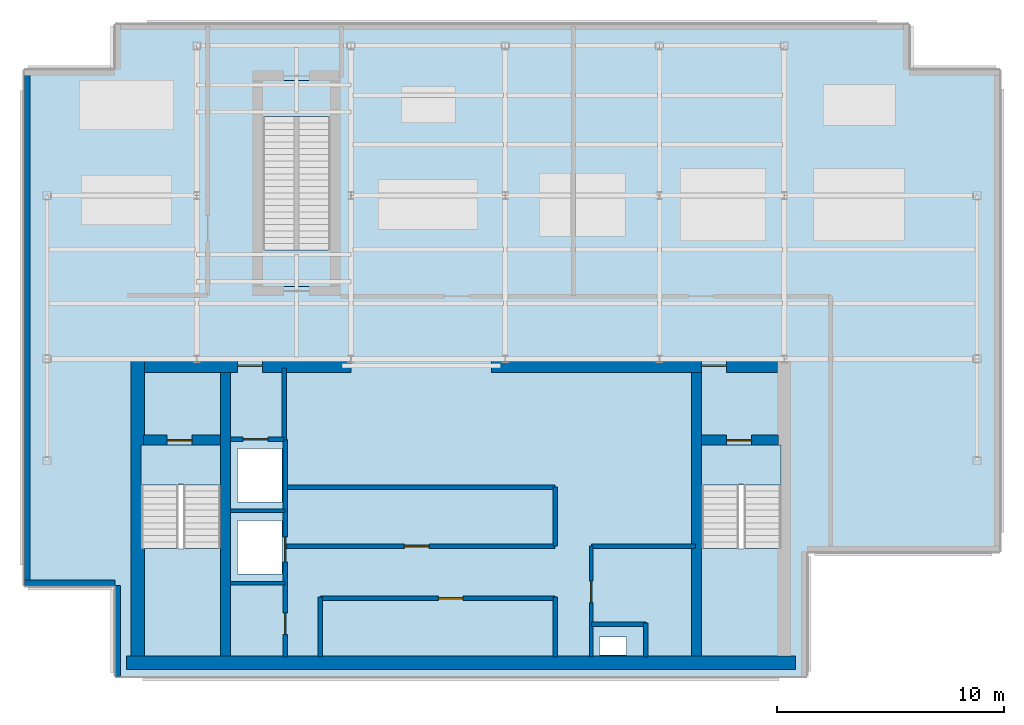
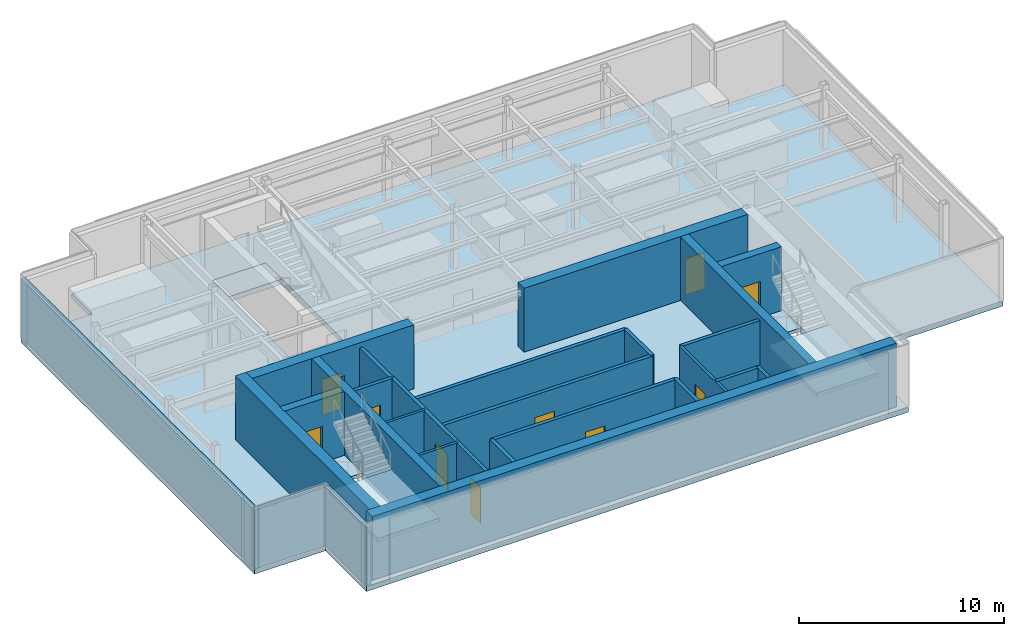
# One storey, part 2 of 7: 26 walls, 10 doors, 7 slabs, 10 openings, 2 elements without a shape of their own.
"""IFC4 building model written with IfcOpenShell, lengths in metres."""

from ifc_helpers import new_model, si_unit, derived_unit, direction, frame, frame_2d, origin, place, context, subcontext, project, spatial, polyline, rectangle, outline, extrude, source, transform, mapped, material, layer, layer_set, type_object, element, fill, aggregate, save


model = new_model("IFC4")

# Units and contexts
model_context = context("Model", 3, precision=1e-05, world=origin(), true_north=direction((0.0, 1.0)))
body_context = subcontext(model_context, "Body", "Model", "MODEL_VIEW")
ifc_project = project(units=[si_unit("LENGTHUNIT", "METRE"), si_unit("AREAUNIT", "SQUARE_METRE"), si_unit("VOLUMEUNIT", "CUBIC_METRE"), si_unit("PLANEANGLEUNIT", "RADIAN"), si_unit("MASSUNIT", "GRAM", prefix="KILO"), derived_unit("THERMALTRANSMITTANCEUNIT", [(si_unit("POWERUNIT", "WATT"), 1), (si_unit("LENGTHUNIT", "METRE"), -2), (si_unit("THERMODYNAMICTEMPERATUREUNIT", "KELVIN"), -1)])], contexts=[model_context])

# Site, building, storey
site_placement = place(None, origin())
site = spatial("IfcSite", under=ifc_project, at=site_placement, CompositionType="ELEMENT")
building_placement = place(site_placement, origin())
building = spatial("IfcBuilding", under=site, at=building_placement, Name="Skarnbrae Concourse Arena and Tower", CompositionType="ELEMENT")
storey_placement = place(building_placement, frame((0.0, 0.0, 299.85009765625)))
storey = spatial("IfcBuildingStorey", under=building, at=storey_placement, Name="L78", CompositionType="ELEMENT", Elevation=299.85009765625)

# Stair, slab
ifc_material_1 = material(Name="Concrete 40 MPa (C40/50)", Category="concrete")
stair_type = type_object("IfcStairType", Name="STAIR-DOGLEG-1650", PredefinedType="HALF_TURN_STAIR", material=ifc_material_1)
stair_1_placement = place(storey_placement, origin())
stair_1 = element("IfcStair", 1, at=stair_1_placement, inside=storey, type_object=stair_type, Name="L78 Protected Exit Stair ST-1", PredefinedType="HALF_TURN_STAIR")
ifc_layer_1 = layer(ifc_material_1, 0.199951171875)
ifc_layer_set_1 = layer_set([ifc_layer_1], Name="Concrete 40 MPa (C40/50)")
slab_type_1 = type_object("IfcSlabType", Name="SLAB-LANDING-200", PredefinedType="LANDING", material=ifc_layer_set_1)
slab_1_placement = place(storey_placement, frame((0.0, 0.0, 1.699951171875)))
slab_1 = element("IfcSlab", 2, at=slab_1_placement, type_object=slab_type_1, Name="ST-1 landing 1", PredefinedType="LANDING", context=body_context, shape_type="SweptSolid", body=[
    extrude(outline(polyline([(5.14990234375, 5.64990234375), (5.14990234375, 0.89990234375), (8.64990234375, 0.89990234375), (8.64990234375, 5.64990234375), (5.14990234375, 5.64990234375)])), origin(), (0.0, 0.0, 1.0), 0.199951171875),
])
aggregate(stair_1, [slab_1])

stair_2_placement = place(storey_placement, origin())
stair_2 = element("IfcStair", 3, at=stair_2_placement, inside=storey, type_object=stair_type, Name="L78 Protected Exit Stair ST-2", PredefinedType="HALF_TURN_STAIR")
slab_2_placement = place(storey_placement, frame((0.0, 0.0, 1.699951171875)))
slab_2 = element("IfcSlab", 4, at=slab_2_placement, type_object=slab_type_1, Name="ST-2 landing 1", PredefinedType="LANDING", context=body_context, shape_type="SweptSolid", body=[
    extrude(outline(polyline([(29.85009765625, 5.64990234375), (29.85009765625, 0.89990234375), (33.35009765625, 0.89990234375), (33.35009765625, 5.64990234375), (29.85009765625, 5.64990234375)])), origin(), (0.0, 0.0, 1.0), 0.199951171875),
])
aggregate(stair_2, [slab_2])

# Slabs
slab_3_placement = place(storey_placement, frame((0.0, 0.0, -0.2001953125)))
element("IfcSlab", 5, at=slab_3_placement, inside=storey, type_object=slab_type_1, Name="L78 Core stair ST1 floor landing", PredefinedType="LANDING", context=body_context, shape_type="SweptSolid", body=[
    extrude(outline(polyline([(5.14990234375, 10.199951171875), (5.14990234375, 8.449951171875), (8.64990234375, 8.449951171875), (8.64990234375, 10.199951171875), (5.14990234375, 10.199951171875)])), origin(), (0.0, 0.0, 1.0), 0.2001953125),
])
slab_4_placement = place(storey_placement, frame((0.0, 0.0, -0.2001953125)))
element("IfcSlab", 6, at=slab_4_placement, inside=storey, type_object=slab_type_1, Name="L78 Core stair ST2 floor landing", PredefinedType="LANDING", context=body_context, shape_type="SweptSolid", body=[
    extrude(outline(polyline([(29.85009765625, 10.199951171875), (29.85009765625, 8.449951171875), (33.35009765625, 8.449951171875), (33.35009765625, 10.199951171875), (29.85009765625, 10.199951171875)])), origin(), (0.0, 0.0, 1.0), 0.2001953125),
])
slab_5_placement = place(storey_placement, frame((0.0, 0.0, -0.300048828125)))
element("IfcSlab", 7, at=slab_5_placement, inside=storey, type_object=slab_type_1, Name="L78 Stair ST-CRWN near floor landing", PredefinedType="LANDING", context=body_context, shape_type="SweptSolid", body=[
    extrude(outline(polyline([(13.5, 17.199951171875), (13.5, 18.800048828125), (10.5, 18.800048828125), (10.5, 17.199951171875), (13.5, 17.199951171875)])), origin(), (0.0, 0.0, 1.0), 0.300048828125),
])
slab_6_placement = place(storey_placement, frame((0.0, 0.0, -0.300048828125)))
element("IfcSlab", 8, at=slab_6_placement, inside=storey, type_object=slab_type_1, Name="L78 Stair ST-CRWN far floor landing", PredefinedType="LANDING", context=body_context, shape_type="SweptSolid", body=[
    extrude(outline(polyline([(13.5, 24.679931640625), (13.5, 26.280029296875), (10.5, 26.280029296875), (10.5, 24.679931640625), (13.5, 24.679931640625)])), origin(), (0.0, 0.0, 1.0), 0.300048828125),
])
ifc_layer_2 = layer(ifc_material_1, 0.300048828125)
ifc_layer_set_2 = layer_set([ifc_layer_2], Name="Concrete 40 MPa (C40/50)")
slab_type_2 = type_object("IfcSlabType", Name="SLAB-PODIUM-300", PredefinedType="FLOOR", material=ifc_layer_set_2)
slab_7_placement = place(storey_placement, frame((0.0, 0.0, -0.300048828125)))
element("IfcSlab", 9, at=slab_7_placement, inside=storey, type_object=slab_type_2, Name="L78 Structural floor slab", PredefinedType="FLOOR", context=body_context, shape_type="SweptSolid", body=[
    extrude(outline(polyline([(4.0, 0.0), (34.5, 0.0), (34.5, 5.5), (43.0, 5.5), (43.0, 26.75), (39.0, 26.75), (39.0, 28.75), (4.0, 28.75), (4.0, 26.75), (0.0, 26.75), (0.0, 4.0), (4.0, 4.0), (4.0, 0.0)]), holes=[polyline([(26.550048828125, 0.949951171875), (25.35009765625, 0.949951171875), (25.35009765625, 1.75), (26.550048828125, 1.75), (26.550048828125, 0.949951171875)]), polyline([(5.14990234375, 10.199951171875), (8.64990234375, 10.199951171875), (8.64990234375, 0.89990234375), (5.14990234375, 0.89990234375), (5.14990234375, 10.199951171875)]), polyline([(29.85009765625, 10.199951171875), (33.35009765625, 10.199951171875), (33.35009765625, 0.89990234375), (29.85009765625, 0.89990234375), (29.85009765625, 10.199951171875)]), polyline([(11.35498046875, 4.52001953125), (9.39501953125, 4.52001953125), (9.39501953125, 6.8798828125), (11.35498046875, 6.8798828125), (11.35498046875, 4.52001953125)]), polyline([(9.39501953125, 7.695068359375), (9.39501953125, 10.054931640625), (11.35498046875, 10.054931640625), (11.35498046875, 7.695068359375), (9.39501953125, 7.695068359375)]), polyline([(13.5, 17.199951171875), (10.5, 17.199951171875), (10.5, 26.280029296875), (13.5, 26.280029296875), (13.5, 17.199951171875)])]), origin(), (0.0, 0.0, 1.0), 0.300048828125),
])

# Walls
ifc_material_2 = material(Name="Concrete 50 MPa (C50/60)", Category="concrete")
ifc_layer_3 = layer(ifc_material_2, 0.60009765625)
ifc_layer_set_3 = layer_set([ifc_layer_3], Name="Concrete 50 MPa (C50/60)")
wall_type_1 = type_object("IfcWallType", Name="WALL-CORE-600-C50", PredefinedType="SHEAR", material=ifc_layer_set_3)
shared_shape_1 = source(origin(), body_context, "Body", "SweptSolid", [
    extrude(rectangle(XDim=29.5, YDim=0.60009765625, at=frame_2d((14.75, 0.0))), origin(), (0.0, 0.0, 1.0), 3.7998046875),
])
wall_1_placement = place(storey_placement, frame((4.5, 0.60009765625, 0.0), z_axis=(0.0, 0.0, 1.0), x_axis=(1.0, 0.0, 0.0)))
element("IfcWall", 10, at=wall_1_placement, inside=storey, type_object=wall_type_1, Name="L78 Rear core shear wall CW-S", PredefinedType="SHEAR", context=body_context, shape_type="MappedRepresentation", body=[
    mapped(shared_shape_1, transform((0.0, 0.0, 0.0))),
])
shared_shape_2 = source(origin(), body_context, "Body", "SweptSolid", [
    extrude(rectangle(XDim=13.10009765625, YDim=0.60009765625, at=frame_2d((6.550048828125, 0.0))), origin(), (0.0, 0.0, 1.0), 3.7998046875),
])
wall_2_placement = place(storey_placement, frame((5.0, 0.89990234375, 0.0), z_axis=(0.0, 0.0, 1.0), x_axis=(0.0, 1.0, 0.0)))
element("IfcWall", 11, at=wall_2_placement, inside=storey, type_object=wall_type_1, Name="L78 Rear core shear wall CW-W", PredefinedType="SHEAR", context=body_context, shape_type="MappedRepresentation", body=[
    mapped(shared_shape_2, transform((0.0, 0.0, 0.0))),
])

# Wall, opening, door
shared_shape_3 = source(origin(), body_context, "Body", "SweptSolid", [
    extrude(rectangle(XDim=9.099853515625, YDim=0.60009765625, at=frame_2d((4.5498046875, 0.0))), origin(), (0.0, 0.0, 1.0), 3.7998046875),
])
wall_3_placement = place(storey_placement, frame((5.300048828125, 13.699951171875, 0.0), z_axis=(0.0, 0.0, 1.0), x_axis=(1.0, 0.0, 0.0)))
wall_3 = element("IfcWall", 12, at=wall_3_placement, inside=storey, type_object=wall_type_1, Name="L78 Rear core shear wall CW-NW", PredefinedType="SHEAR", context=body_context, shape_type="MappedRepresentation", body=[
    mapped(shared_shape_3, transform((0.0, 0.0, 0.0))),
])
opening_1_placement = place(wall_3_placement, frame((4.10009765625, 0.0, 0.0)))
opening_1 = element("IfcOpeningElement", 13, at=opening_1_placement, cuts=wall_3, Name="Opening DT-03", PredefinedType="OPENING", context=body_context, shape_type="SweptSolid", body=[
    extrude(rectangle(XDim=1.10009765625, YDim=2.14990234375, at=frame_2d((0.550048828125, 1.074951171875))), frame((0.0, 0.31005859375, 0.0), z_axis=(0.0, -1.0, 0.0), x_axis=(1.0, 0.0, 0.0)), (0.0, 0.0, 1.0), 0.6201171875),
])
ifc_material_3 = material(Name="Steel CSA G40.21 350W", Category="steel")
door_type_1 = type_object("IfcDoorType", Name="DOOR-FIRE-1100-90M", OperationType="NOTDEFINED", PredefinedType="DOOR", material=ifc_material_3)
shared_shape_4 = source(origin(), body_context, "Body", "SweptSolid", [
    extrude(rectangle(XDim=1.10009765625, YDim=2.14990234375, at=frame_2d((0.550048828125, 1.074951171875))), frame((0.0, 0.02490234375, 0.0), z_axis=(0.0, -1.0, 0.0), x_axis=(1.0, 0.0, 0.0)), (0.0, 0.0, 1.0), 0.050048828125),
])
door_1_placement = place(opening_1_placement, origin())
door_1 = element("IfcDoor", 14, at=door_1_placement, inside=storey, type_object=door_type_1, Name="D-2325 Firefighting Lobby Exit Door", OperationType="SINGLE_SWING_RIGHT", OverallHeight=2.14990234375, OverallWidth=1.10009765625, PredefinedType="DOOR", context=body_context, shape_type="MappedRepresentation", body=[
    mapped(shared_shape_4, transform((0.0, 0.0, 0.0))),
])
fill(opening_1, door_1)

shared_shape_5 = source(origin(), body_context, "Body", "SweptSolid", [
    extrude(rectangle(XDim=12.599853515625, YDim=0.60009765625, at=frame_2d((6.2998046875, 0.0))), origin(), (0.0, 0.0, 1.0), 3.7998046875),
])
wall_4_placement = place(storey_placement, frame((20.60009765625, 13.699951171875, 0.0), z_axis=(0.0, 0.0, 1.0), x_axis=(1.0, 0.0, 0.0)))
wall_4 = element("IfcWall", 15, at=wall_4_placement, inside=storey, type_object=wall_type_1, Name="L78 Rear core shear wall CW-NE", PredefinedType="SHEAR", context=body_context, shape_type="MappedRepresentation", body=[
    mapped(shared_shape_5, transform((0.0, 0.0, 0.0))),
])
opening_2_placement = place(wall_4_placement, frame((9.25, 0.0, 0.0)))
opening_2 = element("IfcOpeningElement", 16, at=opening_2_placement, cuts=wall_4, Name="Opening DT-03", PredefinedType="OPENING", context=body_context, shape_type="SweptSolid", body=[
    extrude(rectangle(XDim=1.10009765625, YDim=2.14990234375, at=frame_2d((0.550048828125, 1.074951171875))), frame((0.0, 0.31005859375, 0.0), z_axis=(0.0, -1.0, 0.0), x_axis=(1.0, 0.0, 0.0)), (0.0, 0.0, 1.0), 0.6201171875),
])
door_2_placement = place(opening_2_placement, origin())
door_2 = element("IfcDoor", 17, at=door_2_placement, inside=storey, type_object=door_type_1, Name="D-2326 Stair ST-2 Vestibule Door", OperationType="SINGLE_SWING_LEFT", OverallHeight=2.14990234375, OverallWidth=1.10009765625, PredefinedType="DOOR", context=body_context, shape_type="MappedRepresentation", body=[
    mapped(shared_shape_4, transform((0.0, 0.0, 0.0))),
])
fill(opening_2, door_2)

# Walls
ifc_layer_4 = layer(ifc_material_2, 0.449951171875)
ifc_layer_set_4 = layer_set([ifc_layer_4], Name="Concrete 50 MPa (C50/60)")
wall_type_2 = type_object("IfcWallType", Name="WALL-CORE-450-C50", PredefinedType="SHEAR", material=ifc_layer_set_4)
shared_shape_6 = source(origin(), body_context, "Body", "SweptSolid", [
    extrude(rectangle(XDim=12.5, YDim=0.449951171875, at=frame_2d((6.25, 0.0))), origin(), (0.0, 0.0, 1.0), 3.7998046875),
])
for number, where, z_axis, x_axis, name in (
    (18, (8.864990234375, 0.89990234375, 0.0), (0.0, 0.0, 1.0), (0.0, 1.0, 0.0), "L78 Rear core shear wall CW-WEB-W"),
    (19, (29.635009765625, 0.89990234375, 0.0), (0.0, 0.0, 1.0), (0.0, 1.0, 0.0), "L78 Rear core shear wall CW-WEB-E"),
):
    element("IfcWall", number, at=place(storey_placement, frame(where, z_axis=z_axis, x_axis=x_axis)), inside=storey, type_object=wall_type_2, Name=name, PredefinedType="SHEAR", context=body_context, shape_type="MappedRepresentation", body=[
        mapped(shared_shape_6, transform((0.0, 0.0, 0.0))),
    ])

# Wall, opening, door
shared_shape_7 = source(origin(), body_context, "Body", "SweptSolid", [
    extrude(rectangle(XDim=3.389892578125, YDim=0.449951171875, at=frame_2d((1.69482421875, 0.0))), origin(), (0.0, 0.0, 1.0), 3.7998046875),
])
wall_5_placement = place(storey_placement, frame((5.25, 10.419921875, 0.0), z_axis=(0.0, 0.0, 1.0), x_axis=(1.0, 0.0, 0.0)))
wall_5 = element("IfcWall", 20, at=wall_5_placement, inside=storey, type_object=wall_type_2, Name="L78 Rear core shear wall CW-ST1-N", PredefinedType="SHEAR", context=body_context, shape_type="MappedRepresentation", body=[
    mapped(shared_shape_7, transform((0.0, 0.0, 0.0))),
])
opening_3_placement = place(wall_5_placement, frame((1.050048828125, 0.0, 0.0)))
opening_3 = element("IfcOpeningElement", 21, at=opening_3_placement, cuts=wall_5, Name="Opening DT-03", PredefinedType="OPENING", context=body_context, shape_type="SweptSolid", body=[
    extrude(rectangle(XDim=1.10009765625, YDim=2.14990234375, at=frame_2d((0.550048828125, 1.074951171875))), frame((0.0, 0.23486328125, 0.0), z_axis=(0.0, -1.0, 0.0), x_axis=(1.0, 0.0, 0.0)), (0.0, 0.0, 1.0), 0.469970703125),
])
door_3_placement = place(opening_3_placement, frame((1.10009765625, 0.0, 0.0), z_axis=(0.0, 0.0, 1.0), x_axis=(-1.0, 0.0, 0.0)))
door_3 = element("IfcDoor", 22, at=door_3_placement, inside=storey, type_object=door_type_1, Name="D-2323 Stair ST-1 Door", OperationType="SINGLE_SWING_LEFT", OverallHeight=2.14990234375, OverallWidth=1.10009765625, PredefinedType="DOOR", context=body_context, shape_type="MappedRepresentation", body=[
    mapped(shared_shape_4, transform((0.0, 0.0, 0.0))),
])
fill(opening_3, door_3)

wall_6_placement = place(storey_placement, frame((29.860107421875, 10.419921875, 0.0), z_axis=(0.0, 0.0, 1.0), x_axis=(1.0, 0.0, 0.0)))
wall_6 = element("IfcWall", 23, at=wall_6_placement, inside=storey, type_object=wall_type_2, Name="L78 Rear core shear wall CW-ST2-N", PredefinedType="SHEAR", context=body_context, shape_type="MappedRepresentation", body=[
    mapped(shared_shape_7, transform((0.0, 0.0, 0.0))),
])
opening_4_placement = place(wall_6_placement, frame((1.10009765625, 0.0, 0.0)))
opening_4 = element("IfcOpeningElement", 24, at=opening_4_placement, cuts=wall_6, Name="Opening DT-03", PredefinedType="OPENING", context=body_context, shape_type="SweptSolid", body=[
    extrude(rectangle(XDim=1.10009765625, YDim=2.14990234375, at=frame_2d((0.550048828125, 1.074951171875))), frame((0.0, 0.23486328125, 0.0), z_axis=(0.0, -1.0, 0.0), x_axis=(1.0, 0.0, 0.0)), (0.0, 0.0, 1.0), 0.469970703125),
])
door_4_placement = place(opening_4_placement, frame((1.10009765625, 0.0, 0.0), z_axis=(0.0, 0.0, 1.0), x_axis=(-1.0, 0.0, 0.0)))
door_4 = element("IfcDoor", 25, at=door_4_placement, inside=storey, type_object=door_type_1, Name="D-2324 Stair ST-2 Door", OperationType="SINGLE_SWING_RIGHT", OverallHeight=2.14990234375, OverallWidth=1.10009765625, PredefinedType="DOOR", context=body_context, shape_type="MappedRepresentation", body=[
    mapped(shared_shape_4, transform((0.0, 0.0, 0.0))),
])
fill(opening_4, door_4)

# Walls
ifc_material_4 = material(Name="Precast concrete 40 MPa (C40/50)", Category="concrete")
ifc_layer_5 = layer(ifc_material_4, 0.25)
ifc_layer_set_5 = layer_set([ifc_layer_5], Name="Precast concrete 40 MPa (C40/50)")
wall_type_3 = type_object("IfcWallType", Name="WALL-CROWN-BRONZE-250", PredefinedType="STANDARD", material=ifc_layer_set_5)
shared_shape_8 = source(origin(), body_context, "Body", "SweptSolid", [
    extrude(rectangle(XDim=4.0, YDim=0.25, at=frame_2d((2.0, 0.0))), origin(), (0.0, 0.0, 1.0), 3.5),
])
for number, where, z_axis, x_axis, name in (
    (26, (0.0, 4.125, 0.0), (0.0, 0.0, 1.0), (1.0, 0.0, 0.0), "L78 Crown enclosure wall 11"),
    (27, (4.125, 4.0, 0.0), (0.0, 0.0, 1.0), (0.0, -1.0, 0.0), "L78 Crown enclosure wall 12"),
):
    element("IfcWall", number, at=place(storey_placement, frame(where, z_axis=z_axis, x_axis=x_axis)), inside=storey, type_object=wall_type_3, Name=name, PredefinedType="STANDARD", context=body_context, shape_type="MappedRepresentation", body=[
        mapped(shared_shape_8, transform((0.0, 0.0, 0.0))),
    ])
shared_shape_9 = source(origin(), body_context, "Body", "SweptSolid", [
    extrude(rectangle(XDim=22.75, YDim=0.25, at=frame_2d((11.375, 0.0))), origin(), (0.0, 0.0, 1.0), 3.5),
])
wall_7_placement = place(storey_placement, frame((0.125, 26.75, 0.0), z_axis=(0.0, 0.0, 1.0), x_axis=(0.0, -1.0, 0.0)))
element("IfcWall", 28, at=wall_7_placement, inside=storey, type_object=wall_type_3, Name="L78 Crown enclosure wall 10", PredefinedType="STANDARD", context=body_context, shape_type="MappedRepresentation", body=[
    mapped(shared_shape_9, transform((0.0, 0.0, 0.0))),
])
ifc_material_5 = material(Name="Gypsum board on cold-formed steel studs", Category="steel")
ifc_layer_6 = layer(ifc_material_5, 0.199951171875)
ifc_layer_set_6 = layer_set([ifc_layer_6], Name="Gypsum board on cold-formed steel studs")
wall_type_4 = type_object("IfcWallType", Name="WALL-PART-200-2HR", PredefinedType="PARTITIONING", material=ifc_layer_set_6)
shared_shape_10 = source(origin(), body_context, "Body", "SweptSolid", [
    extrude(rectangle(XDim=3.18017578125, YDim=0.199951171875, at=frame_2d((1.590087890625, 0.0))), origin(), (0.0, 0.0, 1.0), 3.5),
])
wall_8_placement = place(storey_placement, frame((11.449951171875, 10.419921875, 0.0), z_axis=(0.0, 0.0, 1.0), x_axis=(0.0, 1.0, 0.0)))
element("IfcWall", 29, at=wall_8_placement, inside=storey, type_object=wall_type_4, Name="L78 Interior partition wall W-L78-FFL-E", PredefinedType="PARTITIONING", context=body_context, shape_type="MappedRepresentation", body=[
    mapped(shared_shape_10, transform((0.0, 0.0, 0.0))),
])

# Wall, opening, door
shared_shape_11 = source(origin(), body_context, "Body", "SweptSolid", [
    extrude(rectangle(XDim=2.349853515625, YDim=0.199951171875, at=frame_2d((1.1748046875, 0.0))), origin(), (0.0, 0.0, 1.0), 3.5),
])
wall_9_placement = place(storey_placement, frame((9.10009765625, 10.449951171875, 0.0), z_axis=(0.0, 0.0, 1.0), x_axis=(1.0, 0.0, 0.0)))
wall_9 = element("IfcWall", 30, at=wall_9_placement, inside=storey, type_object=wall_type_4, Name="L78 Interior partition wall W-L78-FL1-N", PredefinedType="PARTITIONING", context=body_context, shape_type="MappedRepresentation", body=[
    mapped(shared_shape_11, transform((0.0, 0.0, 0.0))),
])
opening_5_placement = place(wall_9_placement, frame((0.550048828125, 0.0, 0.0)))
opening_5 = element("IfcOpeningElement", 31, at=opening_5_placement, cuts=wall_9, Name="Opening LD-01", PredefinedType="OPENING", context=body_context, shape_type="SweptSolid", body=[
    extrude(rectangle(XDim=1.10009765625, YDim=2.14990234375, at=frame_2d((0.550048828125, 1.074951171875))), frame((0.0, 0.10986328125, 0.0), z_axis=(0.0, -1.0, 0.0), x_axis=(1.0, 0.0, 0.0)), (0.0, 0.0, 1.0), 0.219970703125),
])
door_type_2 = type_object("IfcDoorType", Name="DOOR-LIFT-SLIDE-1100", OperationType="SLIDING_TO_LEFT", PredefinedType="DOOR", material=ifc_material_3)
door_5_placement = place(opening_5_placement, origin())
door_5 = element("IfcDoor", 32, at=door_5_placement, inside=storey, type_object=door_type_2, Name="D-2327 Firefighting Lift Landing Door FL-01", OperationType="SLIDING_TO_LEFT", OverallHeight=2.14990234375, OverallWidth=1.10009765625, PredefinedType="DOOR", context=body_context, shape_type="MappedRepresentation", body=[
    mapped(shared_shape_4, transform((0.0, 0.0, 0.0))),
])
fill(opening_5, door_5)

# Wall, openings, doors
shared_shape_12 = source(origin(), body_context, "Body", "SweptSolid", [
    extrude(rectangle(XDim=9.599853515625, YDim=0.199951171875, at=frame_2d((4.7998046875, 0.0))), origin(), (0.0, 0.0, 1.0), 3.5),
])
wall_10_placement = place(storey_placement, frame((11.5, 0.85009765625, 0.0), z_axis=(0.0, 0.0, 1.0), x_axis=(0.0, 1.0, 0.0)))
wall_10 = element("IfcWall", 33, at=wall_10_placement, inside=storey, type_object=wall_type_4, Name="L78 Interior partition wall W-L78-FL-E", PredefinedType="PARTITIONING", context=body_context, shape_type="MappedRepresentation", body=[
    mapped(shared_shape_12, transform((0.0, 0.0, 0.0))),
])
opening_6_placement = place(wall_10_placement, frame((4.199951171875, 0.0, 0.0)))
opening_6 = element("IfcOpeningElement", 34, at=opening_6_placement, cuts=wall_10, Name="Opening LD-01", PredefinedType="OPENING", context=body_context, shape_type="SweptSolid", body=[
    extrude(rectangle(XDim=1.10009765625, YDim=2.14990234375, at=frame_2d((0.550048828125, 1.074951171875))), frame((0.0, 0.10986328125, 0.0), z_axis=(0.0, -1.0, 0.0), x_axis=(1.0, 0.0, 0.0)), (0.0, 0.0, 1.0), 0.219970703125),
])
opening_7_placement = place(wall_10_placement, frame((1.0, 0.0, 0.0)))
opening_7 = element("IfcOpeningElement", 35, at=opening_7_placement, cuts=wall_10, Name="Opening DT-04", PredefinedType="OPENING", context=body_context, shape_type="SweptSolid", body=[
    extrude(rectangle(XDim=0.949951171875, YDim=2.14990234375, at=frame_2d((0.47509765625, 1.074951171875))), frame((0.0, 0.10986328125, 0.0), z_axis=(0.0, -1.0, 0.0), x_axis=(1.0, 0.0, 0.0)), (0.0, 0.0, 1.0), 0.219970703125),
])
door_6_placement = place(opening_6_placement, frame((1.10009765625, 0.0, 0.0), z_axis=(0.0, 0.0, 1.0), x_axis=(-1.0, 0.0, 0.0)))
door_6 = element("IfcDoor", 36, at=door_6_placement, inside=storey, type_object=door_type_2, Name="D-2328 Firefighting Lift Landing Door FL-02", OperationType="SLIDING_TO_LEFT", OverallHeight=2.14990234375, OverallWidth=1.10009765625, PredefinedType="DOOR", context=body_context, shape_type="MappedRepresentation", body=[
    mapped(shared_shape_4, transform((0.0, 0.0, 0.0))),
])
fill(opening_6, door_6)
door_type_3 = type_object("IfcDoorType", Name="DOOR-INT-950-45M", OperationType="NOTDEFINED", PredefinedType="DOOR", material=ifc_material_3)
shared_shape_13 = source(origin(), body_context, "Body", "SweptSolid", [
    extrude(rectangle(XDim=0.949951171875, YDim=2.14990234375, at=frame_2d((0.47509765625, 1.074951171875))), frame((0.0, 0.02490234375, 0.0), z_axis=(0.0, -1.0, 0.0), x_axis=(1.0, 0.0, 0.0)), (0.0, 0.0, 1.0), 0.050048828125),
])
door_7_placement = place(opening_7_placement, frame((0.949951171875, 0.0, 0.0), z_axis=(0.0, 0.0, 1.0), x_axis=(-1.0, 0.0, 0.0)))
door_7 = element("IfcDoor", 37, at=door_7_placement, inside=storey, type_object=door_type_3, Name="D-2329 Crown Exhaust Plant Door", OperationType="SINGLE_SWING_RIGHT", OverallHeight=2.14990234375, OverallWidth=0.949951171875, PredefinedType="DOOR", context=body_context, shape_type="MappedRepresentation", body=[
    mapped(shared_shape_13, transform((0.0, 0.0, 0.0))),
])
fill(opening_7, door_7)

# Walls
ifc_layer_7 = layer(ifc_material_5, 0.14990234375)
ifc_layer_set_7 = layer_set([ifc_layer_7], Name="Gypsum board on cold-formed steel studs")
wall_type_5 = type_object("IfcWallType", Name="WALL-PART-150", PredefinedType="PARTITIONING", material=ifc_layer_set_7)
shared_shape_14 = source(origin(), body_context, "Body", "SweptSolid", [
    extrude(rectangle(XDim=2.39990234375, YDim=0.14990234375, at=frame_2d((1.199951171875, 0.0))), origin(), (0.0, 0.0, 1.0), 3.5),
])
for number, where, z_axis, x_axis, name in (
    (38, (9.10009765625, 4.10009765625, 0.0), (0.0, 0.0, 1.0), (1.0, 0.0, 0.0), "L78 Interior partition wall W-L78-FL-D1"),
    (39, (9.10009765625, 7.300048828125, 0.0), (0.0, 0.0, 1.0), (1.0, 0.0, 0.0), "L78 Interior partition wall W-L78-FL-D2"),
):
    element("IfcWall", number, at=place(storey_placement, frame(where, z_axis=z_axis, x_axis=x_axis)), inside=storey, type_object=wall_type_5, Name=name, PredefinedType="PARTITIONING", context=body_context, shape_type="MappedRepresentation", body=[
        mapped(shared_shape_14, transform((0.0, 0.0, 0.0))),
    ])
shared_shape_15 = source(origin(), body_context, "Body", "SweptSolid", [
    extrude(rectangle(XDim=2.64990234375, YDim=0.199951171875, at=frame_2d((1.324951171875, 0.0))), origin(), (0.0, 0.0, 1.0), 3.5),
])
for number, where, z_axis, x_axis, name in (
    (40, (13.050048828125, 0.85009765625, 0.0), (0.0, 0.0, 1.0), (0.0, 1.0, 0.0), "L78 Interior partition wall W-L78-B1B-W"),
    (41, (23.39990234375, 0.85009765625, 0.0), (0.0, 0.0, 1.0), (0.0, 1.0, 0.0), "L78 Interior partition wall W-L78-B1B-E"),
):
    element("IfcWall", number, at=place(storey_placement, frame(where, z_axis=z_axis, x_axis=x_axis)), inside=storey, type_object=wall_type_4, Name=name, PredefinedType="PARTITIONING", context=body_context, shape_type="MappedRepresentation", body=[
        mapped(shared_shape_15, transform((0.0, 0.0, 0.0))),
    ])

# Wall, opening, door
shared_shape_16 = source(origin(), body_context, "Body", "SweptSolid", [
    extrude(rectangle(XDim=10.349853515625, YDim=0.199951171875, at=frame_2d((5.1748046875, 0.0))), origin(), (0.0, 0.0, 1.0), 3.5),
])
wall_11_placement = place(storey_placement, frame((13.050048828125, 3.449951171875, 0.0), z_axis=(0.0, 0.0, 1.0), x_axis=(1.0, 0.0, 0.0)))
wall_11 = element("IfcWall", 42, at=wall_11_placement, inside=storey, type_object=wall_type_4, Name="L78 Interior partition wall W-L78-B1B-N", PredefinedType="PARTITIONING", context=body_context, shape_type="MappedRepresentation", body=[
    mapped(shared_shape_16, transform((0.0, 0.0, 0.0))),
])
opening_8_placement = place(wall_11_placement, frame((5.199951171875, 0.0, 0.0)))
opening_8 = element("IfcOpeningElement", 43, at=opening_8_placement, cuts=wall_11, Name="Opening DT-03", PredefinedType="OPENING", context=body_context, shape_type="SweptSolid", body=[
    extrude(rectangle(XDim=1.10009765625, YDim=2.14990234375, at=frame_2d((0.550048828125, 1.074951171875))), frame((0.0, 0.10986328125, 0.0), z_axis=(0.0, -1.0, 0.0), x_axis=(1.0, 0.0, 0.0)), (0.0, 0.0, 1.0), 0.219970703125),
])
door_8_placement = place(opening_8_placement, origin())
door_8 = element("IfcDoor", 44, at=door_8_placement, inside=storey, type_object=door_type_1, Name="D-2330 Core Plant Door", OperationType="SINGLE_SWING_LEFT", OverallHeight=2.14990234375, OverallWidth=1.10009765625, PredefinedType="DOOR", context=body_context, shape_type="MappedRepresentation", body=[
    mapped(shared_shape_4, transform((0.0, 0.0, 0.0))),
])
fill(opening_8, door_8)

shared_shape_17 = source(origin(), body_context, "Body", "SweptSolid", [
    extrude(rectangle(XDim=11.849853515625, YDim=0.199951171875, at=frame_2d((5.9248046875, 0.0))), origin(), (0.0, 0.0, 1.0), 3.5),
])
wall_12_placement = place(storey_placement, frame((11.550048828125, 5.75, 0.0), z_axis=(0.0, 0.0, 1.0), x_axis=(1.0, 0.0, 0.0)))
wall_12 = element("IfcWall", 45, at=wall_12_placement, inside=storey, type_object=wall_type_4, Name="L78 Interior partition wall W-L78-B2B-S", PredefinedType="PARTITIONING", context=body_context, shape_type="MappedRepresentation", body=[
    mapped(shared_shape_17, transform((0.0, 0.0, 0.0))),
])
opening_9_placement = place(wall_12_placement, frame((5.199951171875, 0.0, 0.0)))
opening_9 = element("IfcOpeningElement", 46, at=opening_9_placement, cuts=wall_12, Name="Opening DT-03", PredefinedType="OPENING", context=body_context, shape_type="SweptSolid", body=[
    extrude(rectangle(XDim=1.10009765625, YDim=2.14990234375, at=frame_2d((0.550048828125, 1.074951171875))), frame((0.0, 0.10986328125, 0.0), z_axis=(0.0, -1.0, 0.0), x_axis=(1.0, 0.0, 0.0)), (0.0, 0.0, 1.0), 0.219970703125),
])
door_9_placement = place(opening_9_placement, frame((1.10009765625, 0.0, 0.0), z_axis=(0.0, 0.0, 1.0), x_axis=(-1.0, 0.0, 0.0)))
door_9 = element("IfcDoor", 47, at=door_9_placement, inside=storey, type_object=door_type_1, Name="D-2331 Core Machine Room Door", OperationType="SINGLE_SWING_RIGHT", OverallHeight=2.14990234375, OverallWidth=1.10009765625, PredefinedType="DOOR", context=body_context, shape_type="MappedRepresentation", body=[
    mapped(shared_shape_4, transform((0.0, 0.0, 0.0))),
])
fill(opening_9, door_9)

# Walls
wall_13_placement = place(storey_placement, frame((11.550048828125, 8.35009765625, 0.0), z_axis=(0.0, 0.0, 1.0), x_axis=(1.0, 0.0, 0.0)))
element("IfcWall", 48, at=wall_13_placement, inside=storey, type_object=wall_type_4, Name="L78 Interior partition wall W-L78-B2B-N", PredefinedType="PARTITIONING", context=body_context, shape_type="MappedRepresentation", body=[
    mapped(shared_shape_17, transform((0.0, 0.0, 0.0))),
])
shared_shape_18 = source(origin(), body_context, "Body", "SweptSolid", [
    extrude(rectangle(XDim=2.60009765625, YDim=0.199951171875, at=frame_2d((1.300048828125, 0.0))), origin(), (0.0, 0.0, 1.0), 3.5),
])
wall_14_placement = place(storey_placement, frame((23.39990234375, 5.75, 0.0), z_axis=(0.0, 0.0, 1.0), x_axis=(0.0, 1.0, 0.0)))
element("IfcWall", 49, at=wall_14_placement, inside=storey, type_object=wall_type_4, Name="L78 Interior partition wall W-L78-B2B-E", PredefinedType="PARTITIONING", context=body_context, shape_type="MappedRepresentation", body=[
    mapped(shared_shape_18, transform((0.0, 0.0, 0.0))),
])

# Wall, opening, door
ifc_layer_8 = layer(ifc_material_5, 0.14990234375)
ifc_layer_set_8 = layer_set([ifc_layer_8], Name="Gypsum board on cold-formed steel studs")
wall_type_6 = type_object("IfcWallType", Name="WALL-PART-150-1HR", PredefinedType="PARTITIONING", material=ifc_layer_set_8)
shared_shape_19 = source(origin(), body_context, "Body", "SweptSolid", [
    extrude(rectangle(XDim=4.89990234375, YDim=0.14990234375, at=frame_2d((2.449951171875, 0.0))), origin(), (0.0, 0.0, 1.0), 3.5),
])
wall_15_placement = place(storey_placement, frame((25.0, 0.85009765625, 0.0), z_axis=(0.0, 0.0, 1.0), x_axis=(0.0, 1.0, 0.0)))
wall_15 = element("IfcWall", 50, at=wall_15_placement, inside=storey, type_object=wall_type_6, Name="L78 Interior partition wall W-L78-CSV-W", PredefinedType="PARTITIONING", context=body_context, shape_type="MappedRepresentation", body=[
    mapped(shared_shape_19, transform((0.0, 0.0, 0.0))),
])
opening_10_placement = place(wall_15_placement, frame((2.39990234375, 0.0, 0.0)))
opening_10 = element("IfcOpeningElement", 51, at=opening_10_placement, cuts=wall_15, Name="Opening DT-04", PredefinedType="OPENING", context=body_context, shape_type="SweptSolid", body=[
    extrude(rectangle(XDim=0.949951171875, YDim=2.14990234375, at=frame_2d((0.47509765625, 1.074951171875))), frame((0.0, 0.0849609375, 0.0), z_axis=(0.0, -1.0, 0.0), x_axis=(1.0, 0.0, 0.0)), (0.0, 0.0, 1.0), 0.169921875),
])
door_10_placement = place(opening_10_placement, origin())
door_10 = element("IfcDoor", 52, at=door_10_placement, inside=storey, type_object=door_type_3, Name="D-2332 Core Riser Plant Door", OperationType="SINGLE_SWING_LEFT", OverallHeight=2.14990234375, OverallWidth=0.949951171875, PredefinedType="DOOR", context=body_context, shape_type="MappedRepresentation", body=[
    mapped(shared_shape_13, transform((0.0, 0.0, 0.0))),
])
fill(opening_10, door_10)

# Walls
shared_shape_20 = source(origin(), body_context, "Body", "SweptSolid", [
    extrude(rectangle(XDim=2.39990234375, YDim=0.199951171875, at=frame_2d((1.199951171875, 0.0))), origin(), (0.0, 0.0, 1.0), 3.5),
])
wall_16_placement = place(storey_placement, frame((25.0, 2.300048828125, 0.0), z_axis=(0.0, 0.0, 1.0), x_axis=(1.0, 0.0, 0.0)))
element("IfcWall", 53, at=wall_16_placement, inside=storey, type_object=wall_type_4, Name="L78 Interior partition wall W-L78-MEP-N", PredefinedType="PARTITIONING", context=body_context, shape_type="MappedRepresentation", body=[
    mapped(shared_shape_20, transform((0.0, 0.0, 0.0))),
])
shared_shape_21 = source(origin(), body_context, "Body", "SweptSolid", [
    extrude(rectangle(XDim=1.5, YDim=0.199951171875, at=frame_2d((0.75, 0.0))), origin(), (0.0, 0.0, 1.0), 3.5),
])
wall_17_placement = place(storey_placement, frame((27.39990234375, 0.85009765625, 0.0), z_axis=(0.0, 0.0, 1.0), x_axis=(0.0, 1.0, 0.0)))
element("IfcWall", 54, at=wall_17_placement, inside=storey, type_object=wall_type_4, Name="L78 Interior partition wall W-L78-MEP-E", PredefinedType="PARTITIONING", context=body_context, shape_type="MappedRepresentation", body=[
    mapped(shared_shape_21, transform((0.0, 0.0, 0.0))),
])
shared_shape_22 = source(origin(), body_context, "Body", "SweptSolid", [
    extrude(rectangle(XDim=4.60009765625, YDim=0.199951171875, at=frame_2d((2.300048828125, 0.0))), origin(), (0.0, 0.0, 1.0), 3.5),
])
wall_18_placement = place(storey_placement, frame((25.0, 5.75, 0.0), z_axis=(0.0, 0.0, 1.0), x_axis=(1.0, 0.0, 0.0)))
element("IfcWall", 55, at=wall_18_placement, inside=storey, type_object=wall_type_4, Name="L78 Interior partition wall W-L78-CSV-N", PredefinedType="PARTITIONING", context=body_context, shape_type="MappedRepresentation", body=[
    mapped(shared_shape_22, transform((0.0, 0.0, 0.0))),
])

save(model, "model.ifc")
